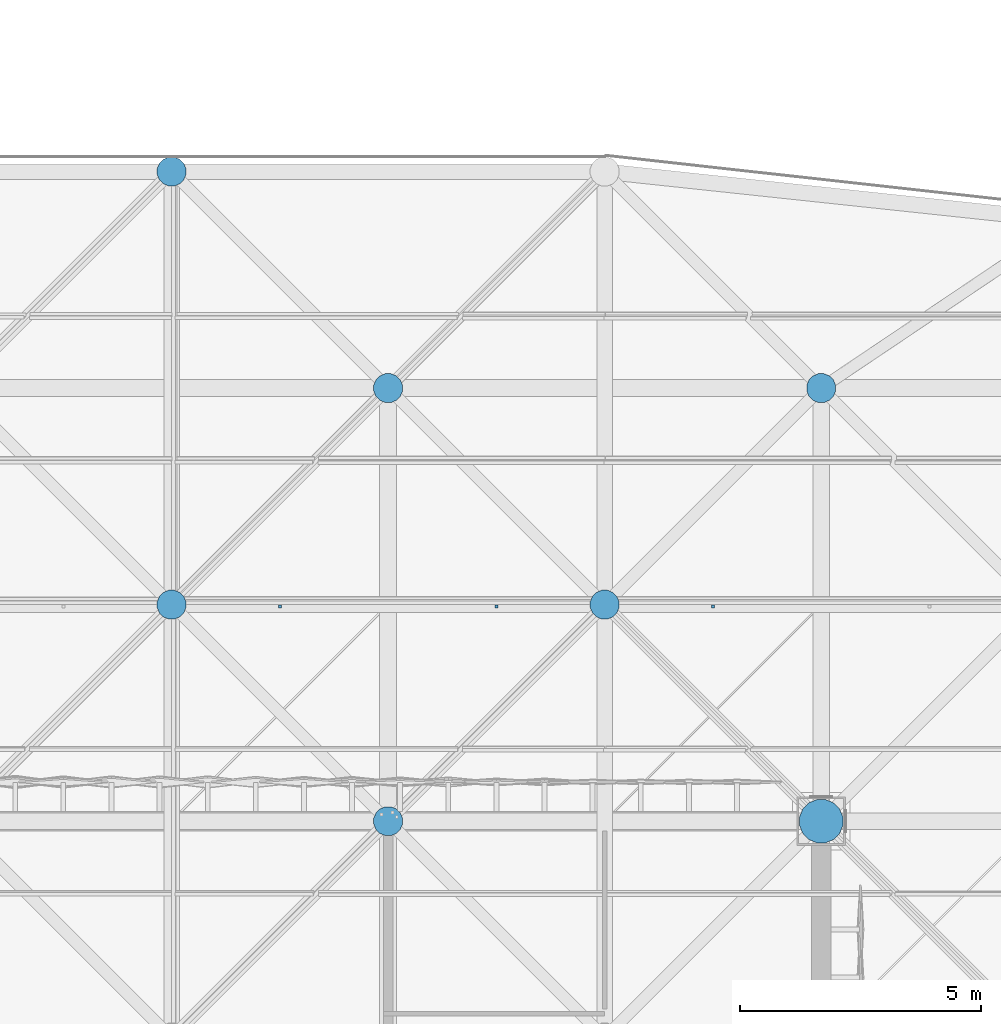
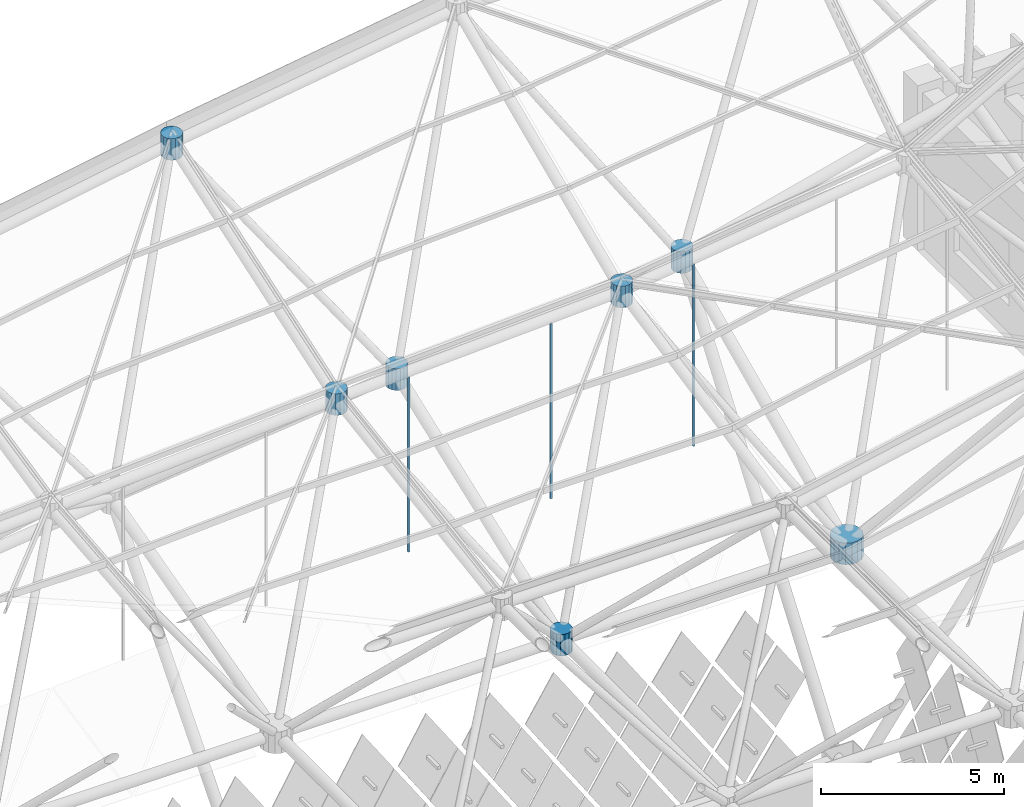
# One storey, part 333 of 437: 10 discrete accessories.
"""IFC4 building model written with IfcOpenShell, lengths in metres."""

import ifcopenshell
import ifcopenshell.guid

model = None  # the IFC model being written
_history = None  # IfcOwnerHistory: only IFC2X3 demands one
_inside = {}  # id of a spatial element -> (the spatial element, [elements in it])
_under = {}  # id of a project, library or spatial element -> (it, [spatial elements below it])
_declared = {}  # id of a project -> (the project, [libraries it declares])
_typed = {}  # id of a type object -> (the type object, [elements of that type])
_made_of = {}  # id of a material, layer set ... -> (it, [elements and type objects made of it])


def new_model(schema):
    """Start an empty IFC model of exactly this schema.

    Asked for "IFC4X3", IfcOpenShell would pick the latest addendum, in which some entities
    have other attributes; the version numbers below select the first issue.
    IFC2X3 requires an IfcOwnerHistory on every rooted entity: one is made here for all.
    """
    global model, _history
    if schema == "IFC4X3":
        model = ifcopenshell.file(schema_version=(4, 3, 0, 0))
    else:
        model = ifcopenshell.file(schema=schema)
    _inside.clear()
    _under.clear()
    _declared.clear()
    _typed.clear()
    _made_of.clear()
    _history = None
    if model.schema == "IFC2X3":
        org = make("IfcOrganization", Name="unknown")
        user = make(
            "IfcPersonAndOrganization",
            ThePerson=make("IfcPerson", FamilyName="unknown"),
            TheOrganization=org,
        )
        app = make(
            "IfcApplication",
            ApplicationDeveloper=org,
            Version="unknown",
            ApplicationFullName="unknown",
            ApplicationIdentifier="unknown",
        )
        _history = make(
            "IfcOwnerHistory",
            OwningUser=user,
            OwningApplication=app,
            ChangeAction="ADDED",
            CreationDate=0,
        )
    return model


def make(cls, **values):
    """One entity of the class cls with the attributes given. An attribute that is None is left unset."""
    return model.create_entity(
        cls, **{name: value for name, value in values.items() if value is not None}
    )


def rooted(cls, **values):
    """An entity with a GlobalId (a new one), such as an element, a storey or a relation."""
    return make(cls, GlobalId=ifcopenshell.guid.new(), OwnerHistory=_history, **values)


def si_unit(unit_type, name, prefix=None):
    """IfcSIUnit, for example si_unit("LENGTHUNIT", "METRE", prefix="MILLI")."""
    return make("IfcSIUnit", UnitType=unit_type, Prefix=prefix, Name=name)


def assignment(units):
    """IfcUnitAssignment: the units of a project."""
    return None if units is None else make("IfcUnitAssignment", Units=units)


def point(xyz):
    """IfcCartesianPoint."""
    return None if xyz is None else make("IfcCartesianPoint", Coordinates=xyz)


def direction(xyz):
    """IfcDirection."""
    return None if xyz is None else make("IfcDirection", DirectionRatios=xyz)


def frame(location, z_axis=None, x_axis=None):
    """IfcAxis2Placement3D, a coordinate frame: its origin and axes. An axis left out is left unset."""
    return make(
        "IfcAxis2Placement3D",
        Location=point(location),
        Axis=direction(z_axis),
        RefDirection=direction(x_axis),
    )


def origin():
    """The frame at (0, 0, 0) with its axes left unset."""
    return frame((0.0, 0.0, 0.0))


def place(relative_to, where):
    """IfcLocalPlacement: puts the frame where relative to a parent placement (None: the world)."""
    return make(
        "IfcLocalPlacement", PlacementRelTo=relative_to, RelativePlacement=where
    )


def context(
    kind, dimensions, precision=None, world=None, true_north=None, identifier=None
):
    """IfcGeometricRepresentationContext, for example the 3D "Model" context."""
    return make(
        "IfcGeometricRepresentationContext",
        ContextIdentifier=identifier,
        ContextType=kind,
        CoordinateSpaceDimension=dimensions,
        Precision=precision,
        WorldCoordinateSystem=world,
        TrueNorth=true_north,
    )


def subcontext(parent, identifier, kind, view, scale=None):
    """IfcGeometricRepresentationSubContext, for example "Body" below "Model"."""
    return make(
        "IfcGeometricRepresentationSubContext",
        ContextIdentifier=identifier,
        ContextType=kind,
        ParentContext=parent,
        TargetScale=scale,
        TargetView=view,
    )


def project(units=None, contexts=None):
    """IfcProject with its units and contexts."""
    return rooted(
        "IfcProject",
        Name="project",
        RepresentationContexts=contexts,
        UnitsInContext=assignment(units),
    )


def spatial(cls, under=None, at=None, **own):
    """A site, building, storey or space (cls), placed at a placement, below another one or the project."""
    s = rooted(cls, ObjectPlacement=at, **own)
    if under is not None:
        _under.setdefault(under.id(), (under, []))[1].append(s)
    return s


def polyline(points):
    """IfcPolyline through the points."""
    return make("IfcPolyline", Points=[point(p) for p in points])


def outline(outer, holes=None, kind="AREA"):
    """IfcArbitraryClosedProfileDef: a profile drawn as a closed curve; with holes, ...WithVoids."""
    if holes is None:
        return make("IfcArbitraryClosedProfileDef", ProfileType=kind, OuterCurve=outer)
    return make(
        "IfcArbitraryProfileDefWithVoids",
        ProfileType=kind,
        OuterCurve=outer,
        InnerCurves=holes,
    )


def extrude(swept, where, along, depth):
    """IfcExtrudedAreaSolid: the profile swept, set in the frame where, extruded along a direction by depth."""
    return make(
        "IfcExtrudedAreaSolid",
        SweptArea=swept,
        Position=where,
        ExtrudedDirection=direction(along),
        Depth=depth,
    )


def shape(context_of_items, identifier, shape_type, items):
    """IfcShapeRepresentation: the items that make up one representation, for example the "Body"."""
    return make(
        "IfcShapeRepresentation",
        ContextOfItems=context_of_items,
        RepresentationIdentifier=identifier,
        RepresentationType=shape_type,
        Items=items,
    )


def material(Name=None, Category=None):
    """IfcMaterial."""
    return make("IfcMaterial", Name=Name, Category=Category)


def made_of(thing, what):
    """Note that an element or type object is made of a material, layer set ...; save() writes the relation."""
    if what is not None:
        _made_of.setdefault(what.id(), (what, []))[1].append(thing)
    return thing


def type_object(cls, material=None, **own):
    """A type object (cls), such as IfcWallType, which elements share."""
    return made_of(rooted(cls, **own), material)


def element(
    cls,
    number,
    at=None,
    inside=None,
    cuts=None,
    type_object=None,
    material=None,
    context=None,
    identifier="Body",
    shape_type=None,
    held_by="IfcProductDefinitionShape",
    body=None,
    shapes=None,
    **own,
):
    """One element of the class cls, such as IfcWall. Its Tag is "e" and its number.

    at: its placement. inside: the storey or other place that contains it. cuts: it is an
    opening in that element (IfcRelVoidsElement). A single representation is given by context,
    identifier, shape_type and body (its items); several are given by shapes. held_by: the class
    of the entity that holds the representations. save() writes the other relations.
    """
    e = rooted(cls, Tag="e%d" % number, ObjectPlacement=at, **own)
    if body is not None:
        shapes = [shape(context, identifier, shape_type, body)]
    if shapes is not None:
        e.Representation = make(held_by, Representations=shapes)
    if inside is not None:
        _inside.setdefault(inside.id(), (inside, []))[1].append(e)
    if cuts is not None:
        rooted(
            "IfcRelVoidsElement", RelatingBuildingElement=cuts, RelatedOpeningElement=e
        )
    if type_object is not None:
        _typed.setdefault(type_object.id(), (type_object, []))[1].append(e)
    return made_of(e, material)


def aggregate(whole, parts):
    """IfcRelAggregates: a whole, such as a stair, and the parts it consists of."""
    return rooted("IfcRelAggregates", RelatingObject=whole, RelatedObjects=parts)


def save(model, path):
    """Write the relations noted so far, then the file.

    IfcRelAggregates (storeys below a building ...), IfcRelContainedInSpatialStructure (elements
    in a storey), IfcRelDefinesByType, IfcRelAssociatesMaterial and IfcRelDeclares: one each for
    every whole, place, type object, material and project.
    """
    for whole, parts in _under.values():
        aggregate(whole, parts)
    for where, things in _inside.values():
        rooted(
            "IfcRelContainedInSpatialStructure",
            RelatedElements=things,
            RelatingStructure=where,
        )
    for kind, things in _typed.values():
        rooted("IfcRelDefinesByType", RelatedObjects=things, RelatingType=kind)
    for what, things in _made_of.values():
        rooted("IfcRelAssociatesMaterial", RelatedObjects=things, RelatingMaterial=what)
    for by, libraries in _declared.values():
        rooted("IfcRelDeclares", RelatingContext=by, RelatedDefinitions=libraries)
    model.write(path)


model = new_model("IFC4")

# Units and contexts
model_context = context("Model", 3, precision=1e-05, world=origin(), true_north=direction((0.0, 1.0)))
body_context = subcontext(model_context, "Body", "Model", "MODEL_VIEW")
ifc_project = project(units=[si_unit("LENGTHUNIT", "METRE"), si_unit("AREAUNIT", "SQUARE_METRE"), si_unit("VOLUMEUNIT", "CUBIC_METRE"), si_unit("PLANEANGLEUNIT", "RADIAN"), si_unit("MASSUNIT", "GRAM", prefix="KILO")], contexts=[model_context])

# Site, building, storey
site_placement = place(None, origin())
site = spatial("IfcSite", under=ifc_project, at=site_placement, CompositionType="ELEMENT")
building_placement = place(site_placement, origin())
building = spatial("IfcBuilding", under=site, at=building_placement, Name="Opaline Strait Convention Centre", CompositionType="ELEMENT")
storey_placement = place(building_placement, frame((0.0, 0.0, 11.5)))
storey = spatial("IfcBuildingStorey", under=building, at=storey_placement, Name="L02", CompositionType="ELEMENT", Elevation=11.5)

# Discrete accessories
ifc_material_1 = material(Name="Steel Q355B", Category="steel")
discrete_accessory_type_1 = type_object("IfcDiscreteAccessoryType", Name="Soffit hanger 60x60 steel", PredefinedType="BRACKET", material=ifc_material_1)
discrete_accessory_1_placement = place(storey_placement, frame((0.0, 0.0, 13.495361328125)))
element("IfcDiscreteAccessory", 1, at=discrete_accessory_1_placement, inside=storey, type_object=discrete_accessory_type_1, Name="Soffit hanger", PredefinedType="BRACKET", context=body_context, shape_type="SweptSolid", body=[
    extrude(outline(polyline([(249.719970703125, 157.43505859375), (249.780029296875, 157.43505859375), (249.780029296875, 157.4951171875), (249.719970703125, 157.4951171875), (249.719970703125, 157.43505859375)])), origin(), (0.0, 0.0, 1.0), 5.82421875),
])
discrete_accessory_2_placement = place(storey_placement, frame((0.0, 0.0, 13.696533203125)))
element("IfcDiscreteAccessory", 2, at=discrete_accessory_2_placement, inside=storey, type_object=discrete_accessory_type_1, Name="Soffit hanger", PredefinedType="BRACKET", context=body_context, shape_type="SweptSolid", body=[
    extrude(outline(polyline([(254.219970703125, 157.43505859375), (254.280029296875, 157.43505859375), (254.280029296875, 157.4951171875), (254.219970703125, 157.4951171875), (254.219970703125, 157.43505859375)])), origin(), (0.0, 0.0, 1.0), 5.84130859375),
])
discrete_accessory_3_placement = place(storey_placement, frame((0.0, 0.0, 13.872314453125)))
element("IfcDiscreteAccessory", 3, at=discrete_accessory_3_placement, inside=storey, type_object=discrete_accessory_type_1, Name="Soffit hanger", PredefinedType="BRACKET", context=body_context, shape_type="SweptSolid", body=[
    extrude(outline(polyline([(258.719970703125, 157.43505859375), (258.780029296875, 157.43505859375), (258.780029296875, 157.4951171875), (258.719970703125, 157.4951171875), (258.719970703125, 157.43505859375)])), origin(), (0.0, 0.0, 1.0), 6.0673828125),
])
ifc_material_2 = material(Name="Cast steel ZG300-500H (300 MPa)", Category="steel")
discrete_accessory_type_2 = type_object("IfcDiscreteAccessoryType", Name="Space frame bearing node hub D900", PredefinedType="USERDEFINED", material=ifc_material_2)
discrete_accessory_4_placement = place(storey_placement, frame((0.0, 0.0, 12.139892578125)))
element("IfcDiscreteAccessory", 4, at=discrete_accessory_4_placement, inside=storey, type_object=discrete_accessory_type_2, Name="Bottom node 20/13", ObjectType="NODE HUB", PredefinedType="USERDEFINED", context=body_context, shape_type="SweptSolid", body=[
    extrude(outline(polyline([(261.449951171875, 153.089599609375), (261.381591796875, 153.2548828125), (261.2548828125, 153.381591796875), (261.089599609375, 153.449951171875), (260.910400390625, 153.449951171875), (260.7451171875, 153.381591796875), (260.618408203125, 153.2548828125), (260.550048828125, 153.089599609375), (260.550048828125, 152.910400390625), (260.618408203125, 152.7451171875), (260.7451171875, 152.618408203125), (260.910400390625, 152.550048828125), (261.089599609375, 152.550048828125), (261.2548828125, 152.618408203125), (261.381591796875, 152.7451171875), (261.449951171875, 152.910400390625), (261.449951171875, 153.089599609375)])), origin(), (0.0, 0.0, 1.0), 0.72021484375),
])
discrete_accessory_type_3 = type_object("IfcDiscreteAccessoryType", Name="Space frame node hub D600", PredefinedType="USERDEFINED", material=ifc_material_2)
discrete_accessory_5_placement = place(storey_placement, frame((0.0, 0.0, 19.012939453125)))
element("IfcDiscreteAccessory", 5, at=discrete_accessory_5_placement, inside=storey, type_object=discrete_accessory_type_3, Name="Top node 19/14", ObjectType="NODE HUB", PredefinedType="USERDEFINED", context=body_context, shape_type="SweptSolid", body=[
    extrude(outline(polyline([(247.800048828125, 157.559814453125), (247.75439453125, 157.669921875), (247.669921875, 157.75439453125), (247.559814453125, 157.800048828125), (247.440185546875, 157.800048828125), (247.330078125, 157.75439453125), (247.24560546875, 157.669921875), (247.199951171875, 157.559814453125), (247.199951171875, 157.440185546875), (247.24560546875, 157.330078125), (247.330078125, 157.24560546875), (247.440185546875, 157.199951171875), (247.559814453125, 157.199951171875), (247.669921875, 157.24560546875), (247.75439453125, 157.330078125), (247.800048828125, 157.440185546875), (247.800048828125, 157.559814453125)])), origin(), (0.0, 0.0, 1.0), 0.719970703125),
])
discrete_accessory_6_placement = place(storey_placement, frame((0.0, 0.0, 22.0634765625)))
element("IfcDiscreteAccessory", 6, at=discrete_accessory_6_placement, inside=storey, type_object=discrete_accessory_type_3, Name="Top node 19/15", ObjectType="NODE HUB", PredefinedType="USERDEFINED", context=body_context, shape_type="SweptSolid", body=[
    extrude(outline(polyline([(247.800048828125, 166.559814453125), (247.75439453125, 166.669921875), (247.669921875, 166.75439453125), (247.559814453125, 166.800048828125), (247.440185546875, 166.800048828125), (247.330078125, 166.75439453125), (247.24560546875, 166.669921875), (247.199951171875, 166.559814453125), (247.199951171875, 166.440185546875), (247.24560546875, 166.330078125), (247.330078125, 166.24560546875), (247.440185546875, 166.199951171875), (247.559814453125, 166.199951171875), (247.669921875, 166.24560546875), (247.75439453125, 166.330078125), (247.800048828125, 166.440185546875), (247.800048828125, 166.559814453125)])), origin(), (0.0, 0.0, 1.0), 0.719970703125),
])
discrete_accessory_7_placement = place(storey_placement, frame((0.0, 0.0, 19.449462890625)))
element("IfcDiscreteAccessory", 7, at=discrete_accessory_7_placement, inside=storey, type_object=discrete_accessory_type_3, Name="Top node 20/14", ObjectType="NODE HUB", PredefinedType="USERDEFINED", context=body_context, shape_type="SweptSolid", body=[
    extrude(outline(polyline([(256.800048828125, 157.559814453125), (256.75439453125, 157.669921875), (256.669921875, 157.75439453125), (256.559814453125, 157.800048828125), (256.440185546875, 157.800048828125), (256.330078125, 157.75439453125), (256.24560546875, 157.669921875), (256.199951171875, 157.559814453125), (256.199951171875, 157.440185546875), (256.24560546875, 157.330078125), (256.330078125, 157.24560546875), (256.440185546875, 157.199951171875), (256.559814453125, 157.199951171875), (256.669921875, 157.24560546875), (256.75439453125, 157.330078125), (256.800048828125, 157.440185546875), (256.800048828125, 157.559814453125)])), origin(), (0.0, 0.0, 1.0), 0.719970703125),
])
discrete_accessory_8_placement = place(storey_placement, frame((0.0, 0.0, 12.139892578125)))
element("IfcDiscreteAccessory", 8, at=discrete_accessory_8_placement, inside=storey, type_object=discrete_accessory_type_3, Name="Bottom node 19/13", ObjectType="NODE HUB", PredefinedType="USERDEFINED", context=body_context, shape_type="SweptSolid", body=[
    extrude(outline(polyline([(252.300048828125, 153.059814453125), (252.25439453125, 153.169921875), (252.169921875, 153.25439453125), (252.059814453125, 153.300048828125), (251.940185546875, 153.300048828125), (251.830078125, 153.25439453125), (251.74560546875, 153.169921875), (251.699951171875, 153.059814453125), (251.699951171875, 152.940185546875), (251.74560546875, 152.830078125), (251.830078125, 152.74560546875), (251.940185546875, 152.699951171875), (252.059814453125, 152.699951171875), (252.169921875, 152.74560546875), (252.25439453125, 152.830078125), (252.300048828125, 152.940185546875), (252.300048828125, 153.059814453125)])), origin(), (0.0, 0.0, 1.0), 0.72021484375),
])
discrete_accessory_9_placement = place(storey_placement, frame((0.0, 0.0, 15.54150390625)))
element("IfcDiscreteAccessory", 9, at=discrete_accessory_9_placement, inside=storey, type_object=discrete_accessory_type_3, Name="Bottom node 19/14", ObjectType="NODE HUB", PredefinedType="USERDEFINED", context=body_context, shape_type="SweptSolid", body=[
    extrude(outline(polyline([(252.300048828125, 162.059814453125), (252.25439453125, 162.169921875), (252.169921875, 162.25439453125), (252.059814453125, 162.300048828125), (251.940185546875, 162.300048828125), (251.830078125, 162.25439453125), (251.74560546875, 162.169921875), (251.699951171875, 162.059814453125), (251.699951171875, 161.940185546875), (251.74560546875, 161.830078125), (251.830078125, 161.74560546875), (251.940185546875, 161.699951171875), (252.059814453125, 161.699951171875), (252.169921875, 161.74560546875), (252.25439453125, 161.830078125), (252.300048828125, 161.940185546875), (252.300048828125, 162.059814453125)])), origin(), (0.0, 0.0, 1.0), 0.719970703125),
])
discrete_accessory_10_placement = place(storey_placement, frame((0.0, 0.0, 16.29638671875)))
element("IfcDiscreteAccessory", 10, at=discrete_accessory_10_placement, inside=storey, type_object=discrete_accessory_type_3, Name="Bottom node 20/14", ObjectType="NODE HUB", PredefinedType="USERDEFINED", context=body_context, shape_type="SweptSolid", body=[
    extrude(outline(polyline([(261.300048828125, 162.059814453125), (261.25439453125, 162.169921875), (261.169921875, 162.25439453125), (261.059814453125, 162.300048828125), (260.940185546875, 162.300048828125), (260.830078125, 162.25439453125), (260.74560546875, 162.169921875), (260.699951171875, 162.059814453125), (260.699951171875, 161.940185546875), (260.74560546875, 161.830078125), (260.830078125, 161.74560546875), (260.940185546875, 161.699951171875), (261.059814453125, 161.699951171875), (261.169921875, 161.74560546875), (261.25439453125, 161.830078125), (261.300048828125, 161.940185546875), (261.300048828125, 162.059814453125)])), origin(), (0.0, 0.0, 1.0), 0.719970703125),
])

save(model, "model.ifc")
